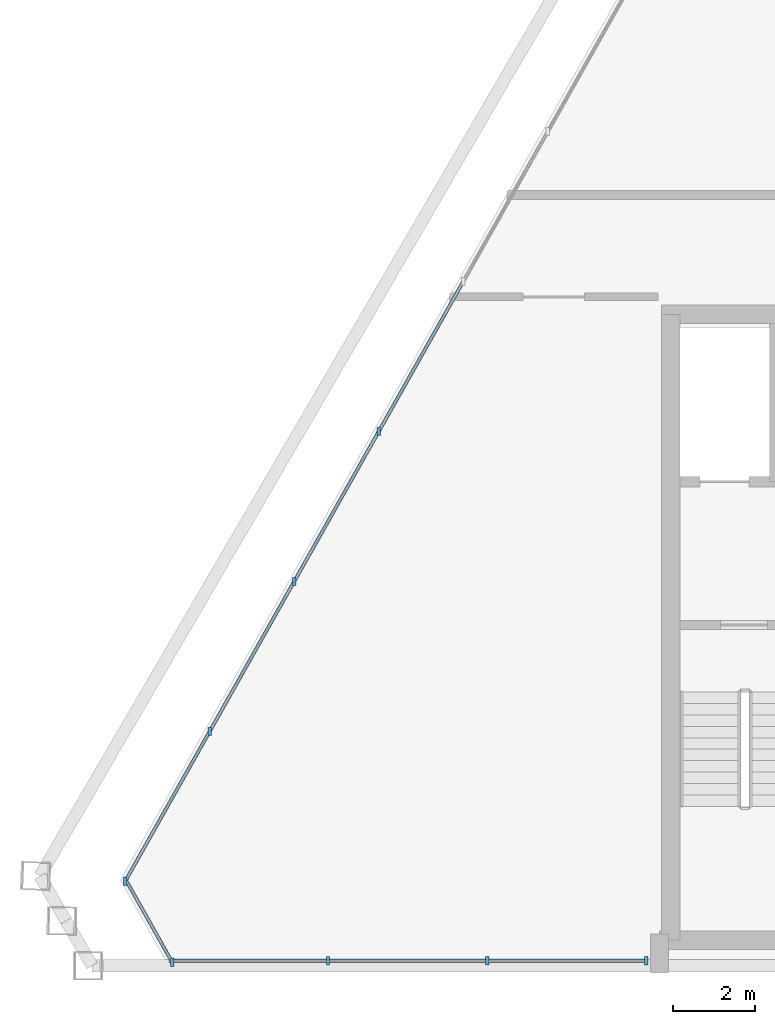
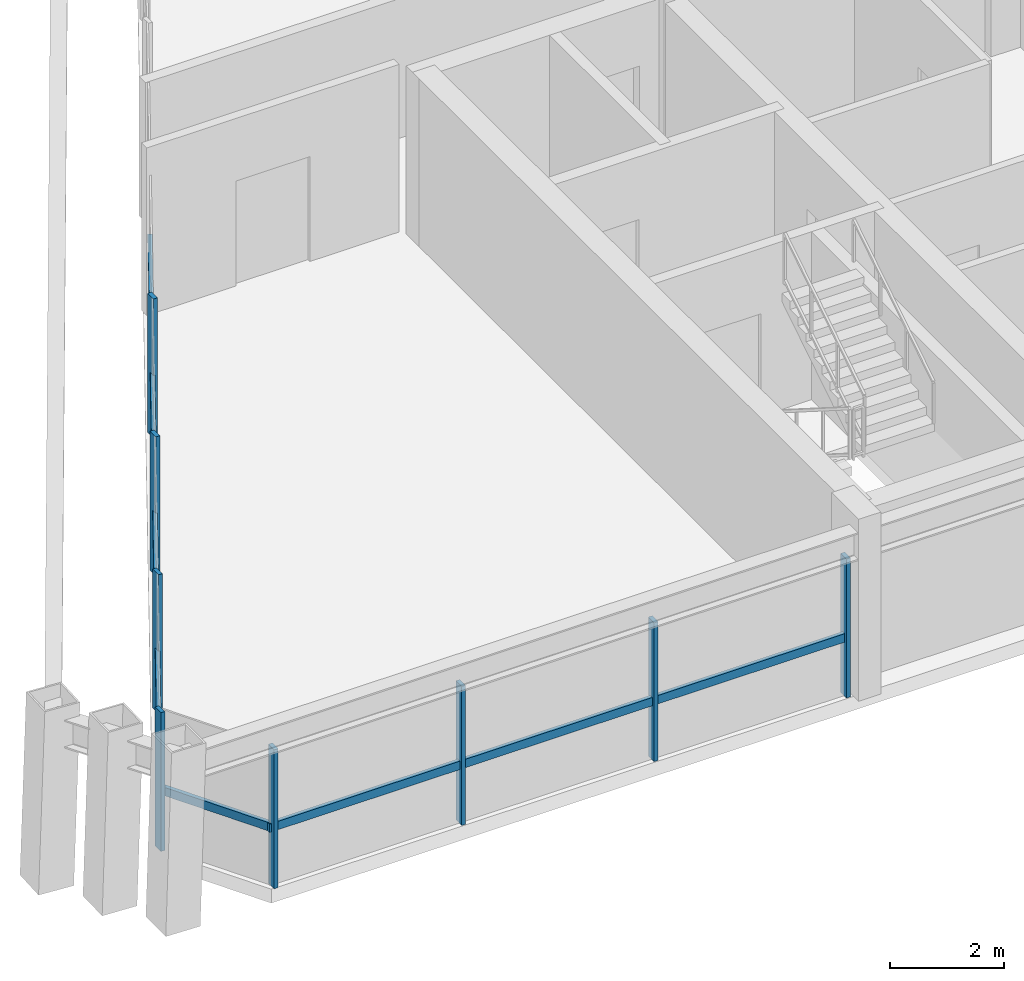
# One storey, part 2 of 12: 16 members, 3 elements without a shape of their own.
"""IFC4 building model written with IfcOpenShell, lengths in metres."""

from ifc_helpers import new_model, si_unit, direction, frame, origin, origin_2d, place, context, subcontext, project, spatial, rectangle, extrude, source, transform, mapped, material, material_profile, profile_set, type_object, type_shapes, element, aggregate, save


model = new_model("IFC4")

# Units and contexts
model_context = context("Model", 3, precision=1e-05, world=origin(), true_north=direction((0.0, 1.0)))
body_context = subcontext(model_context, "Body", "Model", "MODEL_VIEW")
ifc_project = project(units=[si_unit("LENGTHUNIT", "METRE"), si_unit("AREAUNIT", "SQUARE_METRE"), si_unit("VOLUMEUNIT", "CUBIC_METRE"), si_unit("PLANEANGLEUNIT", "RADIAN"), si_unit("MASSUNIT", "GRAM", prefix="KILO")], contexts=[model_context])

# Site, building, storey
site_placement = place(None, origin())
site = spatial("IfcSite", under=ifc_project, at=site_placement, CompositionType="ELEMENT")
building_placement = place(site_placement, origin())
building = spatial("IfcBuilding", under=site, at=building_placement, Name="Varnakhor Terracotta Tower", CompositionType="ELEMENT")
storey_placement = place(building_placement, frame((0.0, 0.0, 321.39990234375)))
storey = spatial("IfcBuildingStorey", under=building, at=storey_placement, Name="L84 Crown", CompositionType="ELEMENT", Elevation=321.39990234375)

# Curtain wall, members
ifc_material_1 = material(Name="Anodised Aluminium Curtain Wall System", Category="aluminium")
curtain_wall_type = type_object("IfcCurtainWallType", Name="CW-SYS-CROWN", PredefinedType="NOTDEFINED", material=ifc_material_1)
curtain_wall_1_placement = place(storey_placement, origin())
curtain_wall_1 = element("IfcCurtainWall", 1, at=curtain_wall_1_placement, inside=storey, type_object=curtain_wall_type, Name="L84 Crown Facet Curtain Wall 1", PredefinedType="NOTDEFINED")
ifc_material_2 = material(Name="Anodised Aluminium 6063-T6", Category="aluminium")
ifc_material_profile_1 = material_profile(ifc_material_2, rectangle(XDim=0.080078125, YDim=0.205078125, at=origin_2d()), Name="ALU MULLION 80x205")
ifc_profile_set_1 = profile_set([ifc_material_profile_1], Name="Anodised Aluminium 6063-T6")
member_type_1 = type_object("IfcMemberType", Name="CWM-06", PredefinedType="MULLION", material=ifc_profile_set_1)
shared_shape_1 = source(origin(), body_context, "Body", "SweptSolid", [
    extrude(rectangle(XDim=0.080078125, YDim=0.205078125, at=origin_2d()), origin(), (0.0, 0.0, 1.0), 2.97998046875),
])
type_shapes(member_type_1, [shared_shape_1])
member_1_placement = place(storey_placement, frame((-23.7509765625, 2.0673828125, 0.0), z_axis=(0.0, 0.0, 1.0), x_axis=(1.0, 0.0, 0.0)))
member_1 = element("IfcMember", 2, at=member_1_placement, type_object=member_type_1, Name="L84 Crown Facet Curtain Wall 1 Mullion 1", PredefinedType="MULLION", context=body_context, shape_type="MappedRepresentation", body=[
    mapped(shared_shape_1, transform((0.0, 0.0, 0.0), scale=1.0)),
])
member_2_placement = place(storey_placement, frame((-21.67822265625, 5.744873046875, 0.0), z_axis=(0.0, 0.0, 1.0), x_axis=(1.0, 0.0, 0.0)))
member_2 = element("IfcMember", 3, at=member_2_placement, type_object=member_type_1, Name="L84 Crown Facet Curtain Wall 1 Mullion 2", PredefinedType="MULLION", context=body_context, shape_type="MappedRepresentation", body=[
    mapped(shared_shape_1, transform((0.0, 0.0, 0.0), scale=1.0)),
])
member_3_placement = place(storey_placement, frame((-19.60546875, 9.42236328125, 0.0), z_axis=(0.0, 0.0, 1.0), x_axis=(1.0, 0.0, 0.0)))
member_3 = element("IfcMember", 4, at=member_3_placement, type_object=member_type_1, Name="L84 Crown Facet Curtain Wall 1 Mullion 3", PredefinedType="MULLION", context=body_context, shape_type="MappedRepresentation", body=[
    mapped(shared_shape_1, transform((0.0, 0.0, 0.0), scale=1.0)),
])
member_4_placement = place(storey_placement, frame((-17.532470703125, 13.099853515625, 0.0), z_axis=(0.0, 0.0, 1.0), x_axis=(1.0, 0.0, 0.0)))
member_4 = element("IfcMember", 5, at=member_4_placement, type_object=member_type_1, Name="L84 Crown Facet Curtain Wall 1 Mullion 4", PredefinedType="MULLION", context=body_context, shape_type="MappedRepresentation", body=[
    mapped(shared_shape_1, transform((0.0, 0.0, 0.0), scale=1.0)),
])

curtain_wall_2_placement = place(storey_placement, origin())
curtain_wall_2 = element("IfcCurtainWall", 6, at=curtain_wall_2_placement, inside=storey, type_object=curtain_wall_type, Name="L84 Crown South Wing Curtain Wall SSW", PredefinedType="NOTDEFINED")
member_5_placement = place(storey_placement, frame((-10.969970703125, 0.1201171875, 0.0), z_axis=(0.0, 0.0, 1.0), x_axis=(1.0, 0.0, 0.0)))
member_5 = element("IfcMember", 7, at=member_5_placement, type_object=member_type_1, Name="L84 Crown South Wing Curtain Wall SSW Mullion 1", PredefinedType="MULLION", context=body_context, shape_type="MappedRepresentation", body=[
    mapped(shared_shape_1, transform((0.0, 0.0, 0.0), scale=1.0)),
])
member_6_placement = place(storey_placement, frame((-14.872314453125, 0.1201171875, 0.0), z_axis=(0.0, 0.0, 1.0), x_axis=(1.0, 0.0, 0.0)))
member_6 = element("IfcMember", 8, at=member_6_placement, type_object=member_type_1, Name="L84 Crown South Wing Curtain Wall SSW Mullion 2", PredefinedType="MULLION", context=body_context, shape_type="MappedRepresentation", body=[
    mapped(shared_shape_1, transform((0.0, 0.0, 0.0), scale=1.0)),
])
member_7_placement = place(storey_placement, frame((-18.7744140625, 0.1201171875, 0.0), z_axis=(0.0, 0.0, 1.0), x_axis=(1.0, 0.0, 0.0)))
member_7 = element("IfcMember", 9, at=member_7_placement, type_object=member_type_1, Name="L84 Crown South Wing Curtain Wall SSW Mullion 3", PredefinedType="MULLION", context=body_context, shape_type="MappedRepresentation", body=[
    mapped(shared_shape_1, transform((0.0, 0.0, 0.0), scale=1.0)),
])

# Curtain wall, member
curtain_wall_3_placement = place(storey_placement, origin())
curtain_wall_3 = element("IfcCurtainWall", 10, at=curtain_wall_3_placement, inside=storey, type_object=curtain_wall_type, Name="L84 Crown Facet Curtain Wall 6", PredefinedType="NOTDEFINED")
member_8_placement = place(storey_placement, frame((-22.5966796875, 0.085205078125, 0.0), z_axis=(0.0, 0.0, 1.0), x_axis=(1.0, 0.0, 0.0)))
member_8 = element("IfcMember", 11, at=member_8_placement, type_object=member_type_1, Name="L84 Crown Facet Curtain Wall 6 Mullion 1", PredefinedType="MULLION", context=body_context, shape_type="MappedRepresentation", body=[
    mapped(shared_shape_1, transform((0.0, 0.0, 0.0), scale=1.0)),
])

# Member
ifc_material_profile_2 = material_profile(ifc_material_2, rectangle(XDim=0.080078125, YDim=0.179931640625, at=origin_2d()), Name="ALU TRANSOM 80x180")
ifc_profile_set_2 = profile_set([ifc_material_profile_2], Name="Anodised Aluminium 6063-T6")
member_type_2 = type_object("IfcMemberType", Name="CWT-06", PredefinedType="USERDEFINED", material=ifc_profile_set_2)
shared_shape_2 = source(origin(), body_context, "Body", "SweptSolid", [
    extrude(rectangle(XDim=0.080078125, YDim=0.179931640625, at=origin_2d()), origin(), (0.0, 0.0, 1.0), 4.221435546875),
])
member_9_placement = place(storey_placement, frame((-23.7509765625, 2.0673828125, 1.251708984375), z_axis=(0.491010669336, 0.871153558564, 0.0), x_axis=(-0.871153558564, 0.491010669336, 0.0)))
member_9 = element("IfcMember", 12, at=member_9_placement, type_object=member_type_2, Name="L84 Crown Facet Curtain Wall 1 Transom 1", ObjectType="TRANSOM", PredefinedType="USERDEFINED", context=body_context, shape_type="MappedRepresentation", body=[
    mapped(shared_shape_2, transform((0.0, 0.0, 0.0), scale=1.0)),
])

member_10_placement = place(storey_placement, frame((-21.67822265625, 5.744873046875, 1.251708984375), z_axis=(0.491010669336, 0.871153558564, 0.0), x_axis=(-0.871153558564, 0.491010669336, 0.0)))
member_10 = element("IfcMember", 13, at=member_10_placement, type_object=member_type_2, Name="L84 Crown Facet Curtain Wall 1 Transom 2", ObjectType="TRANSOM", PredefinedType="USERDEFINED", context=body_context, shape_type="MappedRepresentation", body=[
    mapped(shared_shape_2, transform((0.0, 0.0, 0.0), scale=1.0)),
])

member_11_placement = place(storey_placement, frame((-19.60546875, 9.42236328125, 1.251708984375), z_axis=(0.491054558183, 0.871128819916, 0.0), x_axis=(-0.871128819916, 0.491054558183, 0.0)))
member_11 = element("IfcMember", 14, at=member_11_placement, type_object=member_type_2, Name="L84 Crown Facet Curtain Wall 1 Transom 3", ObjectType="TRANSOM", PredefinedType="USERDEFINED", context=body_context, shape_type="MappedRepresentation", body=[
    mapped(shared_shape_2, transform((0.0, 0.0, 0.0), scale=1.0)),
])

shared_shape_3 = source(origin(), body_context, "Body", "SweptSolid", [
    extrude(rectangle(XDim=0.080078125, YDim=0.179931640625, at=origin_2d()), origin(), (0.0, 0.0, 1.0), 4.2216796875),
])
member_12_placement = place(storey_placement, frame((-17.532470703125, 13.099853515625, 1.251708984375), z_axis=(0.490985932139, 0.871167500795, 0.0), x_axis=(-0.871167500795, 0.490985932139, 0.0)))
member_12 = element("IfcMember", 15, at=member_12_placement, type_object=member_type_2, Name="L84 Crown Facet Curtain Wall 1 Transom 4", ObjectType="TRANSOM", PredefinedType="USERDEFINED", context=body_context, shape_type="MappedRepresentation", body=[
    mapped(shared_shape_3, transform((0.0, 0.0, 0.0), scale=1.0)),
])

aggregate(curtain_wall_1, [member_1, member_9, member_2, member_10, member_3, member_11, member_4, member_12])

shared_shape_4 = source(origin(), body_context, "Body", "SweptSolid", [
    extrude(rectangle(XDim=0.080078125, YDim=0.179931640625, at=origin_2d()), origin(), (0.0, 0.0, 1.0), 3.90234375),
])
member_13_placement = place(storey_placement, frame((-10.969970703125, 0.1201171875, 1.251708984375), z_axis=(-1.0, 0.0, 0.0), x_axis=(0.0, -1.0, 0.0)))
member_13 = element("IfcMember", 16, at=member_13_placement, type_object=member_type_2, Name="L84 Crown South Wing Curtain Wall SSW Transom 1", ObjectType="TRANSOM", PredefinedType="USERDEFINED", context=body_context, shape_type="MappedRepresentation", body=[
    mapped(shared_shape_4, transform((0.0, 0.0, 0.0), scale=1.0)),
])

shared_shape_5 = source(origin(), body_context, "Body", "SweptSolid", [
    extrude(rectangle(XDim=0.080078125, YDim=0.179931640625, at=origin_2d()), origin(), (0.0, 0.0, 1.0), 3.902099609375),
])
member_14_placement = place(storey_placement, frame((-14.872314453125, 0.1201171875, 1.251708984375), z_axis=(-1.0, 0.0, 0.0), x_axis=(0.0, -1.0, 0.0)))
member_14 = element("IfcMember", 17, at=member_14_placement, type_object=member_type_2, Name="L84 Crown South Wing Curtain Wall SSW Transom 2", ObjectType="TRANSOM", PredefinedType="USERDEFINED", context=body_context, shape_type="MappedRepresentation", body=[
    mapped(shared_shape_5, transform((0.0, 0.0, 0.0), scale=1.0)),
])

member_15_placement = place(storey_placement, frame((-18.7744140625, 0.1201171875, 1.251708984375), z_axis=(-1.0, 0.0, 0.0), x_axis=(0.0, -1.0, 0.0)))
member_15 = element("IfcMember", 18, at=member_15_placement, type_object=member_type_2, Name="L84 Crown South Wing Curtain Wall SSW Transom 3", ObjectType="TRANSOM", PredefinedType="USERDEFINED", context=body_context, shape_type="MappedRepresentation", body=[
    mapped(shared_shape_5, transform((0.0, 0.0, 0.0), scale=1.0)),
])

aggregate(curtain_wall_2, [member_5, member_13, member_6, member_14, member_7, member_15])

shared_shape_6 = source(origin(), body_context, "Body", "SweptSolid", [
    extrude(rectangle(XDim=0.080078125, YDim=0.179931640625, at=origin_2d()), origin(), (0.0, 0.0, 1.0), 2.350830078125),
])
member_16_placement = place(storey_placement, frame((-22.5966796875, 0.085205078125, 1.251708984375), z_axis=(-0.491030259669, 0.87114251652, 0.0), x_axis=(-0.87114251652, -0.491030259669, 0.0)))
member_16 = element("IfcMember", 19, at=member_16_placement, type_object=member_type_2, Name="L84 Crown Facet Curtain Wall 6 Transom 1", ObjectType="TRANSOM", PredefinedType="USERDEFINED", context=body_context, shape_type="MappedRepresentation", body=[
    mapped(shared_shape_6, transform((0.0, 0.0, 0.0), scale=1.0)),
])

aggregate(curtain_wall_3, [member_8, member_16])

save(model, "model.ifc")
